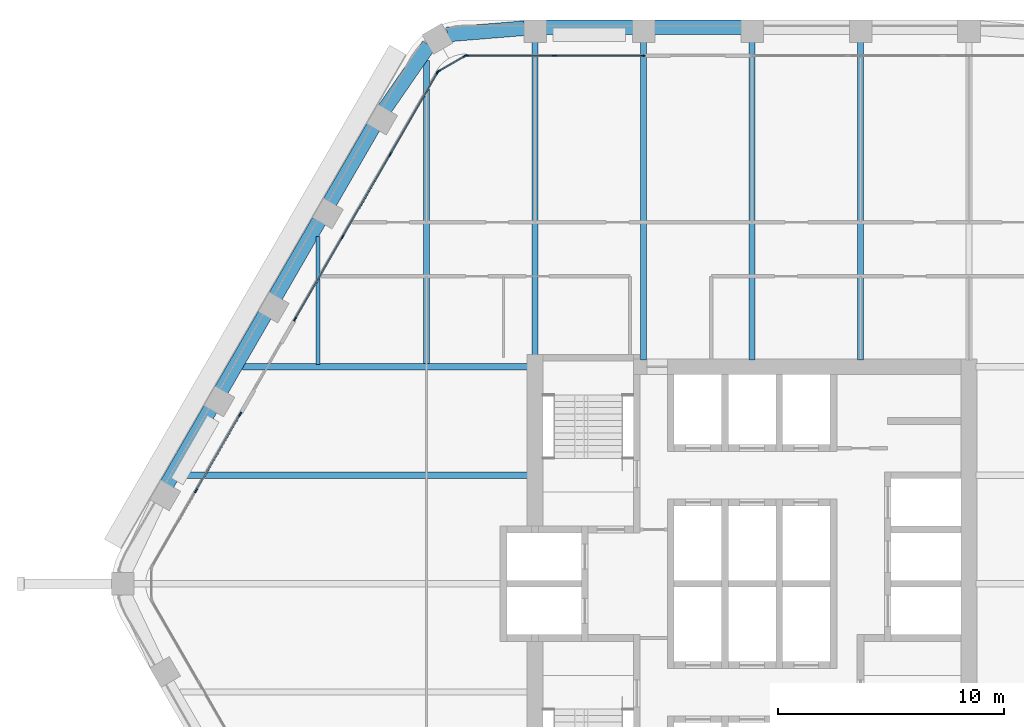
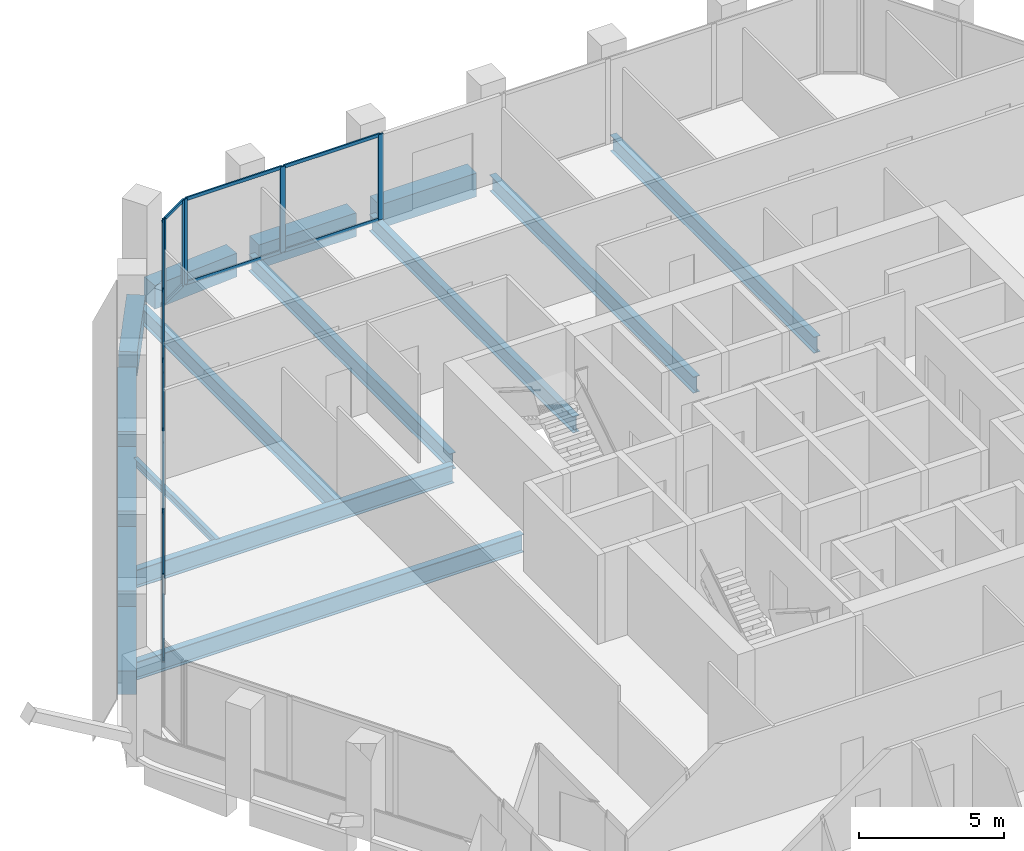
# One storey, part 6 of 16: 25 members, 16 beams, 4 elements without a shape of their own.
"""IFC4 building model written with IfcOpenShell, lengths in metres."""

from ifc_helpers import new_model, si_unit, direction, frame, origin, origin_2d, place, context, subcontext, project, spatial, rectangle, i_section, extrude, material, material_profile, profile_set, type_object, element, aggregate, save


model = new_model("IFC4")

# Units and contexts
model_context = context("Model", 3, precision=1e-05, world=origin(), true_north=direction((0.0, 1.0)))
body_context = subcontext(model_context, "Body", "Model", "MODEL_VIEW")
ifc_project = project(units=[si_unit("LENGTHUNIT", "METRE"), si_unit("AREAUNIT", "SQUARE_METRE"), si_unit("VOLUMEUNIT", "CUBIC_METRE"), si_unit("PLANEANGLEUNIT", "RADIAN"), si_unit("MASSUNIT", "GRAM", prefix="KILO")], contexts=[model_context])

# Site, building, storey
site_placement = place(None, origin())
site = spatial("IfcSite", under=ifc_project, at=site_placement, CompositionType="ELEMENT")
building_placement = place(site_placement, origin())
building = spatial("IfcBuilding", under=site, at=building_placement, Name="Kolab Exchange Tower", CompositionType="ELEMENT")
storey_placement = place(building_placement, frame((0.0, 0.0, 209.0)))
storey = spatial("IfcBuildingStorey", under=building, at=storey_placement, Name="L45", CompositionType="ELEMENT", Elevation=209.0)

# Beams
ifc_material_1 = material(Name="Steel S355", Category="steel")
ifc_material_profile_1 = material_profile(ifc_material_1, i_section(OverallWidth=0.1650390625, OverallDepth=0.31005859375, WebThickness=0.005859375, FlangeThickness=0.009765625, at=origin_2d()), Name="W310X39")
ifc_profile_set_1 = profile_set([ifc_material_profile_1], Name="Steel S355")
beam_type_1 = type_object("IfcBeamType", Name="FLOOR BEAM W310X39", PredefinedType="BEAM", material=ifc_profile_set_1)
beam_1_placement = place(storey_placement, frame((-19.199951171875, 9.693603515625, -0.304931640625), z_axis=(0.0, 1.0, 0.0), x_axis=(-1.0, 0.0, 0.0)))
element("IfcBeam", 1, at=beam_1_placement, inside=storey, type_object=beam_type_1, Name="beam/L45/fr/004", PredefinedType="BEAM", context=body_context, shape_type="SweptSolid", body=[
    extrude(i_section(OverallWidth=0.1650390625, OverallDepth=0.31005859375, WebThickness=0.005859375, FlangeThickness=0.009765625, at=origin_2d()), origin(), (0.0, 0.0, 1.0), 5.674072265625),
])
ifc_material_profile_2 = material_profile(ifc_material_1, i_section(OverallWidth=0.25390625, OverallDepth=0.68408203125, WebThickness=0.012451171875, FlangeThickness=0.018798828125, at=origin_2d()), Name="W690X140")
ifc_profile_set_2 = profile_set([ifc_material_profile_2], Name="Steel S355")
beam_type_2 = type_object("IfcBeamType", Name="FLOOR BEAM W690X140", PredefinedType="BEAM", material=ifc_profile_set_2)
beam_2_placement = place(storey_placement, frame((-14.39990234375, 9.693603515625, -0.491943359375), z_axis=(0.0, 1.0, 0.0), x_axis=(-1.0, 0.0, 0.0)))
element("IfcBeam", 2, at=beam_2_placement, inside=storey, type_object=beam_type_2, Name="beam/L45/fr/006", PredefinedType="BEAM", context=body_context, shape_type="SweptSolid", body=[
    extrude(i_section(OverallWidth=0.25390625, OverallDepth=0.68408203125, WebThickness=0.012451171875, FlangeThickness=0.018798828125, at=origin_2d()), origin(), (0.0, 0.0, 1.0), 13.462158203125),
])
beam_3_placement = place(storey_placement, frame((-9.60009765625, 10.110107421875, -0.491943359375), z_axis=(0.0, 1.0, 0.0), x_axis=(-1.0, 0.0, 0.0)))
element("IfcBeam", 3, at=beam_3_placement, inside=storey, type_object=beam_type_2, Name="beam/L45/fr/008", PredefinedType="BEAM", context=body_context, shape_type="SweptSolid", body=[
    extrude(i_section(OverallWidth=0.25390625, OverallDepth=0.68408203125, WebThickness=0.012451171875, FlangeThickness=0.018798828125, at=origin_2d()), origin(), (0.0, 0.0, 1.0), 13.871337890625),
])
for number, where, z_axis, x_axis, name in (
    (4, (-4.800048828125, 9.909912109375, -0.491943359375), (0.0, 1.0, 0.0), (-1.0, 0.0, 0.0), "beam/L45/fr/010"),
    (5, (0.0, 9.909912109375, -0.491943359375), (0.0, 1.0, 0.0), (-1.0, 0.0, 0.0), "beam/L45/fr/012"),
    (6, (4.800048828125, 9.909912109375, -0.491943359375), (0.0, 1.0, 0.0), (-1.0, 0.0, 0.0), "beam/L45/fr/014"),
):
    element("IfcBeam", number, at=place(storey_placement, frame(where, z_axis=z_axis, x_axis=x_axis)), inside=storey, type_object=beam_type_2, Name=name, PredefinedType="BEAM", context=body_context, shape_type="SweptSolid", body=[
        extrude(i_section(OverallWidth=0.25390625, OverallDepth=0.68408203125, WebThickness=0.012451171875, FlangeThickness=0.018798828125, at=origin_2d()), origin(), (0.0, 0.0, 1.0), 14.071533203125),
    ])
ifc_material_profile_3 = material_profile(ifc_material_1, i_section(OverallWidth=0.26708984375, OverallDepth=0.761962890625, WebThickness=0.014404296875, FlangeThickness=0.021484375, at=origin_2d()), Name="W760X173")
ifc_profile_set_3 = profile_set([ifc_material_profile_3], Name="Steel S355")
beam_type_3 = type_object("IfcBeamType", Name="FLOOR BEAM W760X173", PredefinedType="BEAM", material=ifc_profile_set_3)
beam_4_placement = place(storey_placement, frame((-25.318115234375, 4.800048828125, -0.531005859375), z_axis=(1.0, 0.0, 0.0), x_axis=(0.0, 1.0, 0.0)))
element("IfcBeam", 7, at=beam_4_placement, inside=storey, type_object=beam_type_3, Name="beam/L45/fr/002", PredefinedType="BEAM", context=body_context, shape_type="SweptSolid", body=[
    extrude(i_section(OverallWidth=0.26708984375, OverallDepth=0.761962890625, WebThickness=0.014404296875, FlangeThickness=0.021484375, at=origin_2d()), origin(), (0.0, 0.0, 1.0), 15.408203125),
])
ifc_material_profile_4 = material_profile(ifc_material_1, i_section(OverallWidth=0.26708984375, OverallDepth=0.761962890625, WebThickness=0.014404296875, FlangeThickness=0.021484375, at=origin_2d()), Name="W760X173")
ifc_profile_set_4 = profile_set([ifc_material_profile_4], Name="Steel S355")
beam_type_4 = type_object("IfcBeamType", Name="FLOOR GIRDER W760X173", PredefinedType="BEAM", material=ifc_profile_set_4)
beam_5_placement = place(storey_placement, frame((-22.546875, 9.60009765625, -0.531005859375), z_axis=(1.0, 0.0, 0.0), x_axis=(0.0, 1.0, 0.0)))
element("IfcBeam", 8, at=beam_5_placement, inside=storey, type_object=beam_type_4, Name="beam/L45/gd/001", PredefinedType="BEAM", context=body_context, shape_type="SweptSolid", body=[
    extrude(i_section(OverallWidth=0.26708984375, OverallDepth=0.761962890625, WebThickness=0.014404296875, FlangeThickness=0.021484375, at=origin_2d()), origin(), (0.0, 0.0, 1.0), 12.636962890625),
])
ifc_material_2 = material(Name="Concrete C60/75", Category="concrete")
ifc_material_profile_5 = material_profile(ifc_material_2, rectangle(XDim=0.64990234375, YDim=1.0, at=origin_2d()), Name="RC650X1000")
ifc_profile_set_5 = profile_set([ifc_material_profile_5], Name="Concrete C60/75")
beam_type_5 = type_object("IfcBeamType", Name="SPANDREL BEAM 650X1000 C60/75", PredefinedType="BEAM", material=ifc_profile_set_5)
beam_6_placement = place(storey_placement, frame((-13.493896484375, 24.2998046875, -0.64990234375), z_axis=(0.996708497182, 0.081068931445, 0.0), x_axis=(-0.081068931445, 0.996708497182, 0.0)))
element("IfcBeam", 9, at=beam_6_placement, inside=storey, type_object=beam_type_5, Name="beam/L45/sp/F1-01", PredefinedType="BEAM", context=body_context, shape_type="SweptSolid", body=[
    extrude(rectangle(XDim=0.64990234375, YDim=1.0, at=origin_2d()), origin(), (0.0, 0.0, 1.0), 3.445068359375),
])
beam_7_placement = place(storey_placement, frame((-9.139892578125, 24.616455078125, -0.64990234375), z_axis=(1.0, 0.0, 0.0), x_axis=(0.0, 1.0, 0.0)))
element("IfcBeam", 10, at=beam_7_placement, inside=storey, type_object=beam_type_5, Name="beam/L45/sp/F1-02", PredefinedType="BEAM", context=body_context, shape_type="SweptSolid", body=[
    extrude(rectangle(XDim=0.64990234375, YDim=1.0, at=origin_2d()), origin(), (0.0, 0.0, 1.0), 3.8798828125),
])
beam_8_placement = place(storey_placement, frame((-4.340087890625, 24.616455078125, -0.64990234375), z_axis=(1.0, 0.0, 0.0), x_axis=(0.0, 1.0, 0.0)))
element("IfcBeam", 11, at=beam_8_placement, inside=storey, type_object=beam_type_5, Name="beam/L45/sp/F1-03", PredefinedType="BEAM", context=body_context, shape_type="SweptSolid", body=[
    extrude(rectangle(XDim=0.64990234375, YDim=1.0, at=origin_2d()), origin(), (0.0, 0.0, 1.0), 3.880126953125),
])
for number, where, z_axis, x_axis, name in (
    (12, (-25.888427734375, 4.392822265625, -0.64990234375), (0.499996613652, 0.866027358884, 0.0), (-0.866027358884, 0.499996613652, 0.0), "beam/L45/sp/F6-02"),
    (13, (-23.488525390625, 8.5498046875, -0.64990234375), (0.499996613652, 0.866027358884, 0.0), (-0.866027358884, 0.499996613652, 0.0), "beam/L45/sp/F6-03"),
):
    element("IfcBeam", number, at=place(storey_placement, frame(where, z_axis=z_axis, x_axis=x_axis)), inside=storey, type_object=beam_type_5, Name=name, PredefinedType="BEAM", context=body_context, shape_type="SweptSolid", body=[
        extrude(rectangle(XDim=0.64990234375, YDim=1.0, at=origin_2d()), origin(), (0.0, 0.0, 1.0), 3.8798828125),
    ])
beam_9_placement = place(storey_placement, frame((-21.088623046875, 12.70654296875, -0.64990234375), z_axis=(0.50001655835, 0.866015843605, 0.0), x_axis=(-0.866015843605, 0.50001655835, 0.0)))
element("IfcBeam", 14, at=beam_9_placement, inside=storey, type_object=beam_type_5, Name="beam/L45/sp/F6-04", PredefinedType="BEAM", context=body_context, shape_type="SweptSolid", body=[
    extrude(rectangle(XDim=0.64990234375, YDim=1.0, at=origin_2d()), origin(), (0.0, 0.0, 1.0), 3.880126953125),
])
beam_10_placement = place(storey_placement, frame((-18.6884765625, 16.863525390625, -0.64990234375), z_axis=(0.499996613652, 0.866027358884, 0.0), x_axis=(-0.866027358884, 0.499996613652, 0.0)))
element("IfcBeam", 15, at=beam_10_placement, inside=storey, type_object=beam_type_5, Name="beam/L45/sp/F6-05", PredefinedType="BEAM", context=body_context, shape_type="SweptSolid", body=[
    extrude(rectangle(XDim=0.64990234375, YDim=1.0, at=origin_2d()), origin(), (0.0, 0.0, 1.0), 3.8798828125),
])
beam_11_placement = place(storey_placement, frame((-16.256103515625, 21.001953125, -0.64990234375), z_axis=(0.568572281073, 0.822633309073, 0.0), x_axis=(-0.822633309073, 0.568572281073, 0.0)))
element("IfcBeam", 16, at=beam_11_placement, inside=storey, type_object=beam_type_5, Name="beam/L45/sp/F6-06", PredefinedType="BEAM", context=body_context, shape_type="SweptSolid", body=[
    extrude(rectangle(XDim=0.64990234375, YDim=1.0, at=origin_2d()), origin(), (0.0, 0.0, 1.0), 3.445068359375),
])

# Curtain wall, members
ifc_material_3 = material(Name="Aluminium EN AW-6063 T6", Category="aluminium")
curtain_wall_type = type_object("IfcCurtainWallType", Name="UNITISED UPPER MID ZONE CURTAIN WALL", PredefinedType="NOTDEFINED", material=ifc_material_3)
curtain_wall_1_placement = place(storey_placement, origin())
curtain_wall_1 = element("IfcCurtainWall", 17, at=curtain_wall_1_placement, inside=storey, type_object=curtain_wall_type, Name="cw/L45/F1-1", PredefinedType="NOTDEFINED")
ifc_material_profile_6 = material_profile(ifc_material_3, rectangle(XDim=0.06005859375, YDim=0.199951171875, at=origin_2d()), Name="RECT 60X200")
ifc_profile_set_6 = profile_set([ifc_material_profile_6], Name="Aluminium EN AW-6063 T6")
member_type_1 = type_object("IfcMemberType", Name="UNITISED UPPER MID ZONE MULLION 60 X 200", PredefinedType="MULLION", material=ifc_profile_set_6)
member_1_placement = place(storey_placement, frame((-12.637939453125, 23.361572265625, 0.0), z_axis=(0.0, 0.0, 1.0), x_axis=(0.0, 1.0, 0.0)))
member_1 = element("IfcMember", 18, at=member_1_placement, type_object=member_type_1, Name="CW3 mullion 1", PredefinedType="MULLION", context=body_context, shape_type="SweptSolid", body=[
    extrude(rectangle(XDim=0.06005859375, YDim=0.199951171875, at=origin_2d()), origin(), (0.0, 0.0, 1.0), 3.60009765625),
])
member_2_placement = place(storey_placement, frame((-8.73388671875, 23.361572265625, 0.0), z_axis=(0.0, 0.0, 1.0), x_axis=(0.0, 1.0, 0.0)))
member_2 = element("IfcMember", 19, at=member_2_placement, type_object=member_type_1, Name="CW3 mullion 2", PredefinedType="MULLION", context=body_context, shape_type="SweptSolid", body=[
    extrude(rectangle(XDim=0.06005859375, YDim=0.199951171875, at=origin_2d()), origin(), (0.0, 0.0, 1.0), 3.60009765625),
])
member_3_placement = place(storey_placement, frame((-4.830078125, 23.361572265625, 0.0), z_axis=(0.0, 0.0, 1.0), x_axis=(0.0, 1.0, 0.0)))
member_3 = element("IfcMember", 20, at=member_3_placement, type_object=member_type_1, Name="CW3 mullion 3", PredefinedType="MULLION", context=body_context, shape_type="SweptSolid", body=[
    extrude(rectangle(XDim=0.06005859375, YDim=0.199951171875, at=origin_2d()), origin(), (0.0, 0.0, 1.0), 3.60009765625),
])

curtain_wall_2_placement = place(storey_placement, origin())
curtain_wall_2 = element("IfcCurtainWall", 21, at=curtain_wall_2_placement, inside=storey, type_object=curtain_wall_type, Name="cw/L45/F6-1", PredefinedType="NOTDEFINED")
member_4_placement = place(storey_placement, frame((-24.5986328125, 4.116943359375, 0.0), z_axis=(0.0, 0.0, 1.0), x_axis=(-0.866025440524, 0.499999936366, 0.0)))
member_4 = element("IfcMember", 22, at=member_4_placement, type_object=member_type_1, Name="CW3 mullion 2", PredefinedType="MULLION", context=body_context, shape_type="SweptSolid", body=[
    extrude(rectangle(XDim=0.06005859375, YDim=0.199951171875, at=origin_2d()), origin(), (0.0, 0.0, 1.0), 3.60009765625),
])
member_5_placement = place(storey_placement, frame((-22.646728515625, 7.497802734375, 0.0), z_axis=(0.0, 0.0, 1.0), x_axis=(-0.866025440524, 0.499999936366, 0.0)))
member_5 = element("IfcMember", 23, at=member_5_placement, type_object=member_type_1, Name="CW3 mullion 3", PredefinedType="MULLION", context=body_context, shape_type="SweptSolid", body=[
    extrude(rectangle(XDim=0.06005859375, YDim=0.199951171875, at=origin_2d()), origin(), (0.0, 0.0, 1.0), 3.60009765625),
])

curtain_wall_3_placement = place(storey_placement, origin())
curtain_wall_3 = element("IfcCurtainWall", 24, at=curtain_wall_3_placement, inside=storey, type_object=curtain_wall_type, Name="cw/L45/F6-2", PredefinedType="NOTDEFINED")
member_6_placement = place(storey_placement, frame((-20.216796875, 11.706787109375, 0.0), z_axis=(0.0, 0.0, 1.0), x_axis=(-0.866025393644, 0.500000017564, 0.0)))
member_6 = element("IfcMember", 25, at=member_6_placement, type_object=member_type_1, Name="CW3 mullion 1", PredefinedType="MULLION", context=body_context, shape_type="SweptSolid", body=[
    extrude(rectangle(XDim=0.06005859375, YDim=0.199951171875, at=origin_2d()), origin(), (0.0, 0.0, 1.0), 3.60009765625),
])
member_7_placement = place(storey_placement, frame((-18.120361328125, 15.337646484375, 0.0), z_axis=(0.0, 0.0, 1.0), x_axis=(-0.866025393644, 0.500000017564, 0.0)))
member_7 = element("IfcMember", 26, at=member_7_placement, type_object=member_type_1, Name="CW3 mullion 2", PredefinedType="MULLION", context=body_context, shape_type="SweptSolid", body=[
    extrude(rectangle(XDim=0.06005859375, YDim=0.199951171875, at=origin_2d()), origin(), (0.0, 0.0, 1.0), 3.60009765625),
])
member_8_placement = place(storey_placement, frame((-16.009033203125, 18.99462890625, 0.0), z_axis=(0.0, 0.0, 1.0), x_axis=(-0.866025393644, 0.500000017564, 0.0)))
member_8 = element("IfcMember", 27, at=member_8_placement, type_object=member_type_1, Name="CW3 mullion 3", PredefinedType="MULLION", context=body_context, shape_type="SweptSolid", body=[
    extrude(rectangle(XDim=0.06005859375, YDim=0.199951171875, at=origin_2d()), origin(), (0.0, 0.0, 1.0), 3.60009765625),
])
member_9_placement = place(storey_placement, frame((-13.91259765625, 22.62548828125, 0.0), z_axis=(0.0, 0.0, 1.0), x_axis=(-0.866025393644, 0.500000017564, 0.0)))
member_9 = element("IfcMember", 28, at=member_9_placement, type_object=member_type_1, Name="CW3 mullion 4", PredefinedType="MULLION", context=body_context, shape_type="SweptSolid", body=[
    extrude(rectangle(XDim=0.06005859375, YDim=0.199951171875, at=origin_2d()), origin(), (0.0, 0.0, 1.0), 3.60009765625),
])

curtain_wall_4_placement = place(storey_placement, origin())
curtain_wall_4 = element("IfcCurtainWall", 29, at=curtain_wall_4_placement, inside=storey, type_object=curtain_wall_type, Name="cw/L45/F6F1-corner", PredefinedType="NOTDEFINED")
member_10_placement = place(storey_placement, frame((-13.871826171875, 22.66650390625, 0.0), z_axis=(0.0, 0.0, 1.0), x_axis=(-0.50000002237, 0.866025390869, 0.0)))
member_10 = element("IfcMember", 30, at=member_10_placement, type_object=member_type_1, Name="CW3 mullion 1", PredefinedType="MULLION", context=body_context, shape_type="SweptSolid", body=[
    extrude(rectangle(XDim=0.06005859375, YDim=0.199951171875, at=origin_2d()), origin(), (0.0, 0.0, 1.0), 3.60009765625),
])
member_11_placement = place(storey_placement, frame((-12.69384765625, 23.346435546875, 0.0), z_axis=(0.0, 0.0, 1.0), x_axis=(-0.50000002237, 0.866025390869, 0.0)))
member_11 = element("IfcMember", 31, at=member_11_placement, type_object=member_type_1, Name="CW3 mullion 2", PredefinedType="MULLION", context=body_context, shape_type="SweptSolid", body=[
    extrude(rectangle(XDim=0.06005859375, YDim=0.199951171875, at=origin_2d()), origin(), (0.0, 0.0, 1.0), 3.60009765625),
])

# Member
ifc_material_profile_7 = material_profile(ifc_material_3, rectangle(XDim=0.06005859375, YDim=0.139892578125, at=origin_2d()), Name="RECT 60X140")
ifc_profile_set_7 = profile_set([ifc_material_profile_7], Name="Aluminium EN AW-6063 T6")
member_type_2 = type_object("IfcMemberType", Name="UNITISED UPPER MID ZONE TRANSOM 60 X 140", PredefinedType="USERDEFINED", material=ifc_profile_set_7)
member_12_placement = place(storey_placement, frame((-12.60791015625, 23.361572265625, 0.030029296875), z_axis=(1.0, 0.0, 0.0), x_axis=(0.0, 1.0, 0.0)))
member_12 = element("IfcMember", 32, at=member_12_placement, type_object=member_type_2, Name="CW3 transom 1.1", ObjectType="TRANSOM", PredefinedType="USERDEFINED", context=body_context, shape_type="SweptSolid", body=[
    extrude(rectangle(XDim=0.06005859375, YDim=0.139892578125, at=origin_2d()), origin(), (0.0, 0.0, 1.0), 3.843994140625),
])

member_13_placement = place(storey_placement, frame((-12.60791015625, 23.361572265625, 3.570068359375), z_axis=(1.0, 0.0, 0.0), x_axis=(0.0, 1.0, 0.0)))
member_13 = element("IfcMember", 33, at=member_13_placement, type_object=member_type_2, Name="CW3 transom 1.2", ObjectType="TRANSOM", PredefinedType="USERDEFINED", context=body_context, shape_type="SweptSolid", body=[
    extrude(rectangle(XDim=0.06005859375, YDim=0.139892578125, at=origin_2d()), origin(), (0.0, 0.0, 1.0), 3.843994140625),
])

member_14_placement = place(storey_placement, frame((-8.703857421875, 23.361572265625, 0.030029296875), z_axis=(1.0, 0.0, 0.0), x_axis=(0.0, 1.0, 0.0)))
member_14 = element("IfcMember", 34, at=member_14_placement, type_object=member_type_2, Name="CW3 transom 2.1", ObjectType="TRANSOM", PredefinedType="USERDEFINED", context=body_context, shape_type="SweptSolid", body=[
    extrude(rectangle(XDim=0.06005859375, YDim=0.139892578125, at=origin_2d()), origin(), (0.0, 0.0, 1.0), 3.84375),
])

member_15_placement = place(storey_placement, frame((-8.703857421875, 23.361572265625, 3.570068359375), z_axis=(1.0, 0.0, 0.0), x_axis=(0.0, 1.0, 0.0)))
member_15 = element("IfcMember", 35, at=member_15_placement, type_object=member_type_2, Name="CW3 transom 2.2", ObjectType="TRANSOM", PredefinedType="USERDEFINED", context=body_context, shape_type="SweptSolid", body=[
    extrude(rectangle(XDim=0.06005859375, YDim=0.139892578125, at=origin_2d()), origin(), (0.0, 0.0, 1.0), 3.84375),
])

aggregate(curtain_wall_1, [member_1, member_2, member_3, member_12, member_13, member_14, member_15])

member_16_placement = place(storey_placement, frame((-24.583740234375, 4.142822265625, 0.030029296875), z_axis=(0.500011990396, 0.866018481016, 0.0), x_axis=(-0.866018481016, 0.500011990396, 0.0)))
member_16 = element("IfcMember", 36, at=member_16_placement, type_object=member_type_2, Name="CW3 transom 2.1", ObjectType="TRANSOM", PredefinedType="USERDEFINED", context=body_context, shape_type="SweptSolid", body=[
    extrude(rectangle(XDim=0.06005859375, YDim=0.139892578125, at=origin_2d()), origin(), (0.0, 0.0, 1.0), 3.84423828125),
])

member_17_placement = place(storey_placement, frame((-24.583740234375, 4.142822265625, 3.570068359375), z_axis=(0.500011990396, 0.866018481016, 0.0), x_axis=(-0.866018481016, 0.500011990396, 0.0)))
member_17 = element("IfcMember", 37, at=member_17_placement, type_object=member_type_2, Name="CW3 transom 2.2", ObjectType="TRANSOM", PredefinedType="USERDEFINED", context=body_context, shape_type="SweptSolid", body=[
    extrude(rectangle(XDim=0.06005859375, YDim=0.139892578125, at=origin_2d()), origin(), (0.0, 0.0, 1.0), 3.84423828125),
])

aggregate(curtain_wall_2, [member_4, member_5, member_16, member_17])

member_18_placement = place(storey_placement, frame((-20.20166015625, 11.732666015625, 0.030029296875), z_axis=(0.500001996123, 0.866024251319, 0.0), x_axis=(-0.866024251319, 0.500001996123, 0.0)))
member_18 = element("IfcMember", 38, at=member_18_placement, type_object=member_type_2, Name="CW3 transom 1.1", ObjectType="TRANSOM", PredefinedType="USERDEFINED", context=body_context, shape_type="SweptSolid", body=[
    extrude(rectangle(XDim=0.06005859375, YDim=0.139892578125, at=origin_2d()), origin(), (0.0, 0.0, 1.0), 4.1328125),
])

member_19_placement = place(storey_placement, frame((-20.20166015625, 11.732666015625, 3.570068359375), z_axis=(0.500001996123, 0.866024251319, 0.0), x_axis=(-0.866024251319, 0.500001996123, 0.0)))
member_19 = element("IfcMember", 39, at=member_19_placement, type_object=member_type_2, Name="CW3 transom 1.2", ObjectType="TRANSOM", PredefinedType="USERDEFINED", context=body_context, shape_type="SweptSolid", body=[
    extrude(rectangle(XDim=0.06005859375, YDim=0.139892578125, at=origin_2d()), origin(), (0.0, 0.0, 1.0), 4.1328125),
])

member_20_placement = place(storey_placement, frame((-18.10546875, 15.36376953125, 0.030029296875), z_axis=(0.500037208726, 0.86600392025, 0.0), x_axis=(-0.86600392025, 0.500037208726, 0.0)))
member_20 = element("IfcMember", 40, at=member_20_placement, type_object=member_type_2, Name="CW3 transom 2.1", ObjectType="TRANSOM", PredefinedType="USERDEFINED", context=body_context, shape_type="SweptSolid", body=[
    extrude(rectangle(XDim=0.06005859375, YDim=0.139892578125, at=origin_2d()), origin(), (0.0, 0.0, 1.0), 4.162841796875),
])

member_21_placement = place(storey_placement, frame((-18.10546875, 15.36376953125, 3.570068359375), z_axis=(0.500037208726, 0.86600392025, 0.0), x_axis=(-0.86600392025, 0.500037208726, 0.0)))
member_21 = element("IfcMember", 41, at=member_21_placement, type_object=member_type_2, Name="CW3 transom 2.2", ObjectType="TRANSOM", PredefinedType="USERDEFINED", context=body_context, shape_type="SweptSolid", body=[
    extrude(rectangle(XDim=0.06005859375, YDim=0.139892578125, at=origin_2d()), origin(), (0.0, 0.0, 1.0), 4.162841796875),
])

member_22_placement = place(storey_placement, frame((-15.994140625, 19.0205078125, 0.030029296875), z_axis=(0.500001996123, 0.866024251319, 0.0), x_axis=(-0.866024251319, 0.500001996123, 0.0)))
member_22 = element("IfcMember", 42, at=member_22_placement, type_object=member_type_2, Name="CW3 transom 3.1", ObjectType="TRANSOM", PredefinedType="USERDEFINED", context=body_context, shape_type="SweptSolid", body=[
    extrude(rectangle(XDim=0.06005859375, YDim=0.139892578125, at=origin_2d()), origin(), (0.0, 0.0, 1.0), 4.1328125),
])

member_23_placement = place(storey_placement, frame((-15.994140625, 19.0205078125, 3.570068359375), z_axis=(0.500001996123, 0.866024251319, 0.0), x_axis=(-0.866024251319, 0.500001996123, 0.0)))
member_23 = element("IfcMember", 43, at=member_23_placement, type_object=member_type_2, Name="CW3 transom 3.2", ObjectType="TRANSOM", PredefinedType="USERDEFINED", context=body_context, shape_type="SweptSolid", body=[
    extrude(rectangle(XDim=0.06005859375, YDim=0.139892578125, at=origin_2d()), origin(), (0.0, 0.0, 1.0), 4.1328125),
])

aggregate(curtain_wall_3, [member_6, member_7, member_8, member_9, member_18, member_19, member_20, member_21, member_22, member_23])

member_24_placement = place(storey_placement, frame((-13.845703125, 22.681640625, 0.030029296875), z_axis=(0.86603858612, 0.49997716683, 0.0), x_axis=(-0.49997716683, 0.86603858612, 0.0)))
member_24 = element("IfcMember", 44, at=member_24_placement, type_object=member_type_2, Name="CW3 transom 1.1", ObjectType="TRANSOM", PredefinedType="USERDEFINED", context=body_context, shape_type="SweptSolid", body=[
    extrude(rectangle(XDim=0.06005859375, YDim=0.139892578125, at=origin_2d()), origin(), (0.0, 0.0, 1.0), 1.2998046875),
])

member_25_placement = place(storey_placement, frame((-13.845703125, 22.681640625, 3.570068359375), z_axis=(0.86603858612, 0.49997716683, 0.0), x_axis=(-0.49997716683, 0.86603858612, 0.0)))
member_25 = element("IfcMember", 45, at=member_25_placement, type_object=member_type_2, Name="CW3 transom 1.2", ObjectType="TRANSOM", PredefinedType="USERDEFINED", context=body_context, shape_type="SweptSolid", body=[
    extrude(rectangle(XDim=0.06005859375, YDim=0.139892578125, at=origin_2d()), origin(), (0.0, 0.0, 1.0), 1.2998046875),
])

aggregate(curtain_wall_4, [member_10, member_11, member_24, member_25])

save(model, "model.ifc")
